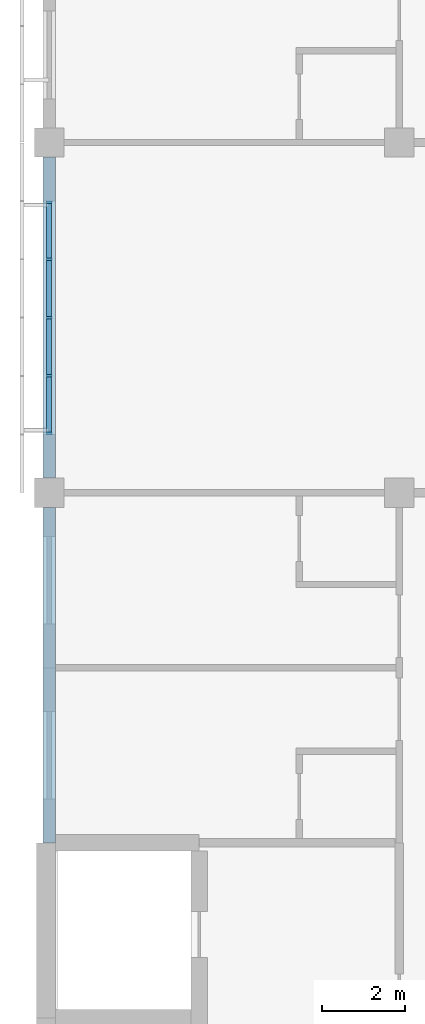
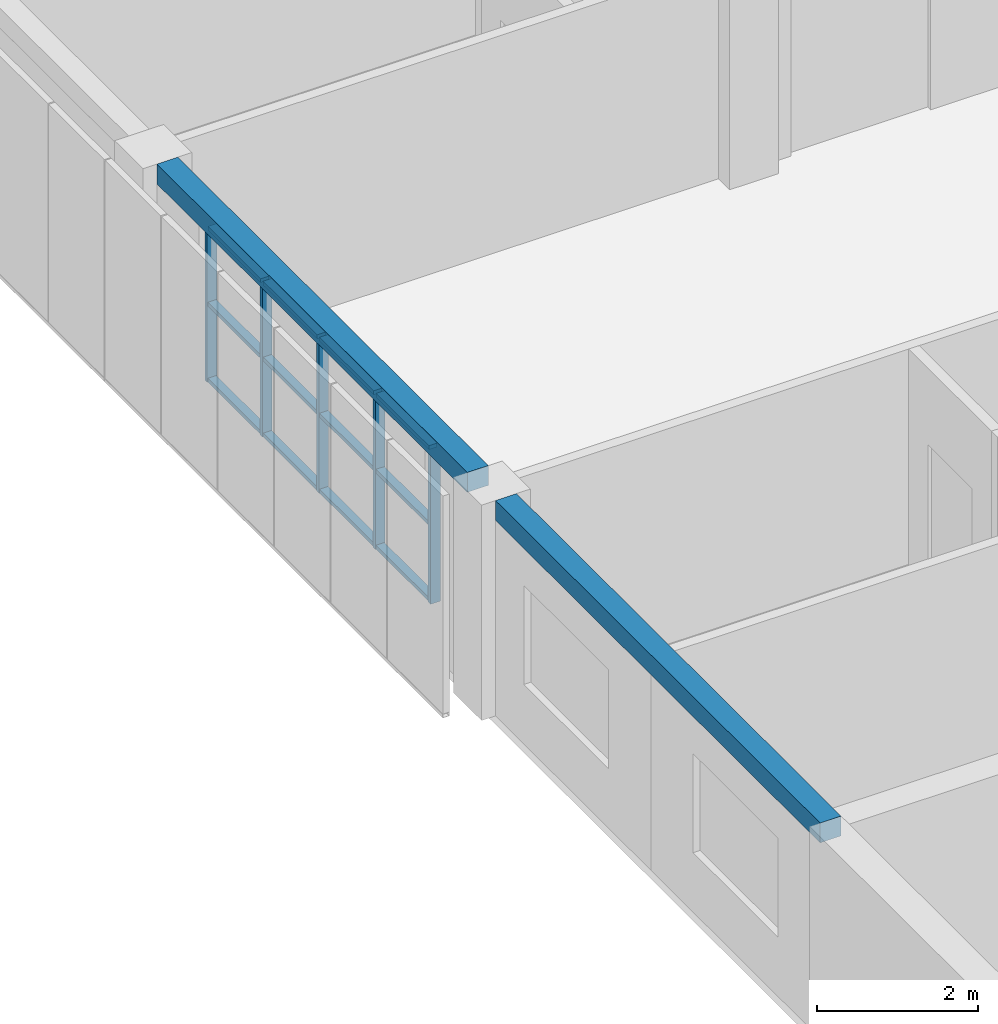
# One storey, part 11 of 45: 17 members, 2 beams, 1 element without a shape of its own.
"""IFC4 building model written with IfcOpenShell, lengths in metres."""

from ifc_helpers import new_model, si_unit, direction, frame, origin, origin_2d, place, context, subcontext, project, spatial, rectangle, extrude, material, material_profile, profile_set, type_object, element, aggregate, save


model = new_model("IFC4")

# Units and contexts
model_context = context("Model", 3, precision=1e-05, world=origin(), true_north=direction((0.0, 1.0)))
body_context = subcontext(model_context, "Body", "Model", "MODEL_VIEW")
ifc_project = project(units=[si_unit("LENGTHUNIT", "METRE"), si_unit("AREAUNIT", "SQUARE_METRE"), si_unit("VOLUMEUNIT", "CUBIC_METRE"), si_unit("PLANEANGLEUNIT", "RADIAN"), si_unit("MASSUNIT", "GRAM", prefix="KILO")], contexts=[model_context])

# Site, building, storey
site_placement = place(None, origin())
site = spatial("IfcSite", under=ifc_project, at=site_placement, CompositionType="ELEMENT")
building_placement = place(site_placement, origin())
building = spatial("IfcBuilding", under=site, at=building_placement, Name="Yavir Park General Hospital", CompositionType="ELEMENT")
storey_placement = place(building_placement, frame((0.0, 0.0, 22.5)))
storey = spatial("IfcBuildingStorey", under=building, at=storey_placement, Name="L05", CompositionType="ELEMENT", Elevation=22.5)

# Curtain wall, members
ifc_material_1 = material(Name="Aluminium curtain wall frame with insulated glazing", Category="aluminium")
curtain_wall_type = type_object("IfcCurtainWallType", Name="Day room pocket glazing, ward floors, 2360 high, 1400 module", PredefinedType="NOTDEFINED", material=ifc_material_1)
curtain_wall_placement = place(storey_placement, origin())
curtain_wall = element("IfcCurtainWall", 1, at=curtain_wall_placement, inside=storey, type_object=curtain_wall_type, Name="CW6 L05-019", PredefinedType="NOTDEFINED")
ifc_material_2 = material(Name="Aluminium", Category="aluminium")
ifc_material_profile_1 = material_profile(ifc_material_2, rectangle(XDim=0.139892578125, YDim=0.06005859375, at=origin_2d()), Name="AL 60x140")
ifc_profile_set_1 = profile_set([ifc_material_profile_1], Name="Aluminium")
member_type_1 = type_object("IfcMemberType", Name="Day room pocket glazing, ward floors, 2360 high mullion 60 x 140", PredefinedType="MULLION", material=ifc_profile_set_1)
member_1_placement = place(storey_placement, frame((0.0, 85.429931640625, 0.60009765625), z_axis=(0.0, 0.0, 1.0), x_axis=(-1.0, 0.0, 0.0)))
member_1 = element("IfcMember", 2, at=member_1_placement, type_object=member_type_1, Name="CW6 mullion 1", PredefinedType="MULLION", context=body_context, shape_type="SweptSolid", body=[
    extrude(rectangle(XDim=0.139892578125, YDim=0.06005859375, at=origin_2d()), origin(), (0.0, 0.0, 1.0), 2.35986328125),
])
member_2_placement = place(storey_placement, frame((0.0, 86.800048828125, 0.60009765625), z_axis=(0.0, 0.0, 1.0), x_axis=(-1.0, 0.0, 0.0)))
member_2 = element("IfcMember", 3, at=member_2_placement, type_object=member_type_1, Name="CW6 mullion 2", PredefinedType="MULLION", context=body_context, shape_type="SweptSolid", body=[
    extrude(rectangle(XDim=0.139892578125, YDim=0.06005859375, at=origin_2d()), origin(), (0.0, 0.0, 1.0), 2.35986328125),
])
member_3_placement = place(storey_placement, frame((0.0, 88.199951171875, 0.60009765625), z_axis=(0.0, 0.0, 1.0), x_axis=(-1.0, 0.0, 0.0)))
member_3 = element("IfcMember", 4, at=member_3_placement, type_object=member_type_1, Name="CW6 mullion 3", PredefinedType="MULLION", context=body_context, shape_type="SweptSolid", body=[
    extrude(rectangle(XDim=0.139892578125, YDim=0.06005859375, at=origin_2d()), origin(), (0.0, 0.0, 1.0), 2.35986328125),
])
member_4_placement = place(storey_placement, frame((0.0, 89.60009765625, 0.60009765625), z_axis=(0.0, 0.0, 1.0), x_axis=(-1.0, 0.0, 0.0)))
member_4 = element("IfcMember", 5, at=member_4_placement, type_object=member_type_1, Name="CW6 mullion 4", PredefinedType="MULLION", context=body_context, shape_type="SweptSolid", body=[
    extrude(rectangle(XDim=0.139892578125, YDim=0.06005859375, at=origin_2d()), origin(), (0.0, 0.0, 1.0), 2.35986328125),
])
member_5_placement = place(storey_placement, frame((0.0, 90.969970703125, 0.60009765625), z_axis=(0.0, 0.0, 1.0), x_axis=(-1.0, 0.0, 0.0)))
member_5 = element("IfcMember", 6, at=member_5_placement, type_object=member_type_1, Name="CW6 mullion 5", PredefinedType="MULLION", context=body_context, shape_type="SweptSolid", body=[
    extrude(rectangle(XDim=0.139892578125, YDim=0.06005859375, at=origin_2d()), origin(), (0.0, 0.0, 1.0), 2.35986328125),
])
ifc_material_3 = material(Name="Aluminium", Category="aluminium")
ifc_material_profile_2 = material_profile(ifc_material_3, rectangle(XDim=0.1201171875, YDim=0.06005859375, at=origin_2d()), Name="AL 120x60")
ifc_profile_set_2 = profile_set([ifc_material_profile_2], Name="Aluminium")
member_type_2 = type_object("IfcMemberType", Name="Day room pocket glazing, ward floors, 2360 high transom 60 x 120", PredefinedType="MULLION", material=ifc_profile_set_2)
member_6_placement = place(storey_placement, frame((0.0, 85.4599609375, 0.6298828125), z_axis=(0.0, 1.0, 0.0), x_axis=(-1.0, 0.0, 0.0)))
member_6 = element("IfcMember", 7, at=member_6_placement, type_object=member_type_2, Name="CW6 transom 1.1", PredefinedType="MULLION", context=body_context, shape_type="SweptSolid", body=[
    extrude(rectangle(XDim=0.1201171875, YDim=0.06005859375, at=origin_2d()), origin(), (0.0, 0.0, 1.0), 1.31005859375),
])
member_7_placement = place(storey_placement, frame((0.0, 85.4599609375, 1.780029296875), z_axis=(0.0, 1.0, 0.0), x_axis=(-1.0, 0.0, 0.0)))
member_7 = element("IfcMember", 8, at=member_7_placement, type_object=member_type_2, Name="CW6 transom 1.2", PredefinedType="MULLION", context=body_context, shape_type="SweptSolid", body=[
    extrude(rectangle(XDim=0.1201171875, YDim=0.06005859375, at=origin_2d()), origin(), (0.0, 0.0, 1.0), 1.31005859375),
])
member_8_placement = place(storey_placement, frame((0.0, 85.4599609375, 2.929931640625), z_axis=(0.0, 1.0, 0.0), x_axis=(-1.0, 0.0, 0.0)))
member_8 = element("IfcMember", 9, at=member_8_placement, type_object=member_type_2, Name="CW6 transom 1.3", PredefinedType="MULLION", context=body_context, shape_type="SweptSolid", body=[
    extrude(rectangle(XDim=0.1201171875, YDim=0.06005859375, at=origin_2d()), origin(), (0.0, 0.0, 1.0), 1.31005859375),
])
member_9_placement = place(storey_placement, frame((0.0, 86.830078125, 0.6298828125), z_axis=(0.0, 1.0, 0.0), x_axis=(-1.0, 0.0, 0.0)))
member_9 = element("IfcMember", 10, at=member_9_placement, type_object=member_type_2, Name="CW6 transom 2.1", PredefinedType="MULLION", context=body_context, shape_type="SweptSolid", body=[
    extrude(rectangle(XDim=0.1201171875, YDim=0.06005859375, at=origin_2d()), origin(), (0.0, 0.0, 1.0), 1.33984375),
])
member_10_placement = place(storey_placement, frame((0.0, 86.830078125, 1.780029296875), z_axis=(0.0, 1.0, 0.0), x_axis=(-1.0, 0.0, 0.0)))
member_10 = element("IfcMember", 11, at=member_10_placement, type_object=member_type_2, Name="CW6 transom 2.2", PredefinedType="MULLION", context=body_context, shape_type="SweptSolid", body=[
    extrude(rectangle(XDim=0.1201171875, YDim=0.06005859375, at=origin_2d()), origin(), (0.0, 0.0, 1.0), 1.33984375),
])
member_11_placement = place(storey_placement, frame((0.0, 86.830078125, 2.929931640625), z_axis=(0.0, 1.0, 0.0), x_axis=(-1.0, 0.0, 0.0)))
member_11 = element("IfcMember", 12, at=member_11_placement, type_object=member_type_2, Name="CW6 transom 2.3", PredefinedType="MULLION", context=body_context, shape_type="SweptSolid", body=[
    extrude(rectangle(XDim=0.1201171875, YDim=0.06005859375, at=origin_2d()), origin(), (0.0, 0.0, 1.0), 1.33984375),
])
member_12_placement = place(storey_placement, frame((0.0, 88.22998046875, 0.6298828125), z_axis=(0.0, 1.0, 0.0), x_axis=(-1.0, 0.0, 0.0)))
member_12 = element("IfcMember", 13, at=member_12_placement, type_object=member_type_2, Name="CW6 transom 3.1", PredefinedType="MULLION", context=body_context, shape_type="SweptSolid", body=[
    extrude(rectangle(XDim=0.1201171875, YDim=0.06005859375, at=origin_2d()), origin(), (0.0, 0.0, 1.0), 1.340087890625),
])
member_13_placement = place(storey_placement, frame((0.0, 88.22998046875, 1.780029296875), z_axis=(0.0, 1.0, 0.0), x_axis=(-1.0, 0.0, 0.0)))
member_13 = element("IfcMember", 14, at=member_13_placement, type_object=member_type_2, Name="CW6 transom 3.2", PredefinedType="MULLION", context=body_context, shape_type="SweptSolid", body=[
    extrude(rectangle(XDim=0.1201171875, YDim=0.06005859375, at=origin_2d()), origin(), (0.0, 0.0, 1.0), 1.340087890625),
])
member_14_placement = place(storey_placement, frame((0.0, 88.22998046875, 2.929931640625), z_axis=(0.0, 1.0, 0.0), x_axis=(-1.0, 0.0, 0.0)))
member_14 = element("IfcMember", 15, at=member_14_placement, type_object=member_type_2, Name="CW6 transom 3.3", PredefinedType="MULLION", context=body_context, shape_type="SweptSolid", body=[
    extrude(rectangle(XDim=0.1201171875, YDim=0.06005859375, at=origin_2d()), origin(), (0.0, 0.0, 1.0), 1.340087890625),
])
member_15_placement = place(storey_placement, frame((0.0, 89.6298828125, 0.6298828125), z_axis=(0.0, 1.0, 0.0), x_axis=(-1.0, 0.0, 0.0)))
member_15 = element("IfcMember", 16, at=member_15_placement, type_object=member_type_2, Name="CW6 transom 4.1", PredefinedType="MULLION", context=body_context, shape_type="SweptSolid", body=[
    extrude(rectangle(XDim=0.1201171875, YDim=0.06005859375, at=origin_2d()), origin(), (0.0, 0.0, 1.0), 1.31005859375),
])
member_16_placement = place(storey_placement, frame((0.0, 89.6298828125, 1.780029296875), z_axis=(0.0, 1.0, 0.0), x_axis=(-1.0, 0.0, 0.0)))
member_16 = element("IfcMember", 17, at=member_16_placement, type_object=member_type_2, Name="CW6 transom 4.2", PredefinedType="MULLION", context=body_context, shape_type="SweptSolid", body=[
    extrude(rectangle(XDim=0.1201171875, YDim=0.06005859375, at=origin_2d()), origin(), (0.0, 0.0, 1.0), 1.31005859375),
])
member_17_placement = place(storey_placement, frame((0.0, 89.6298828125, 2.929931640625), z_axis=(0.0, 1.0, 0.0), x_axis=(-1.0, 0.0, 0.0)))
member_17 = element("IfcMember", 18, at=member_17_placement, type_object=member_type_2, Name="CW6 transom 4.3", PredefinedType="MULLION", context=body_context, shape_type="SweptSolid", body=[
    extrude(rectangle(XDim=0.1201171875, YDim=0.06005859375, at=origin_2d()), origin(), (0.0, 0.0, 1.0), 1.31005859375),
])
aggregate(curtain_wall, [member_1, member_2, member_3, member_4, member_5, member_6, member_7, member_8, member_9, member_10, member_11, member_12, member_13, member_14, member_15, member_16, member_17])

# Beams
ifc_material_4 = material(Name="Concrete C35/45", Category="concrete")
ifc_material_profile_3 = material_profile(ifc_material_4, rectangle(XDim=0.300048828125, YDim=0.300048828125, at=origin_2d()), Name="RC300x300")
ifc_profile_set_3 = profile_set([ifc_material_profile_3], Name="Concrete C35/45")
beam_type = type_object("IfcBeamType", Name="RC BEAM 300x300 edge beam", PredefinedType="BEAM", material=ifc_profile_set_3)
beam_1_placement = place(storey_placement, frame((0.0, 75.60009765625, 3.110107421875), z_axis=(0.0, 1.0, 0.0), x_axis=(-1.0, 0.0, 0.0)))
element("IfcBeam", 19, at=beam_1_placement, inside=storey, type_object=beam_type, Name="B:EDGE:L05:023", PredefinedType="BEAM", context=body_context, shape_type="SweptSolid", body=[
    extrude(rectangle(XDim=0.300048828125, YDim=0.300048828125, at=origin_2d()), origin(), (0.0, 0.0, 1.0), 8.0498046875),
])
beam_2_placement = place(storey_placement, frame((0.0, 84.35009765625, 3.110107421875), z_axis=(0.0, 1.0, 0.0), x_axis=(-1.0, 0.0, 0.0)))
element("IfcBeam", 20, at=beam_2_placement, inside=storey, type_object=beam_type, Name="B:EDGE:L05:024", PredefinedType="BEAM", context=body_context, shape_type="SweptSolid", body=[
    extrude(rectangle(XDim=0.300048828125, YDim=0.300048828125, at=origin_2d()), origin(), (0.0, 0.0, 1.0), 7.699951171875),
])

save(model, "model.ifc")
